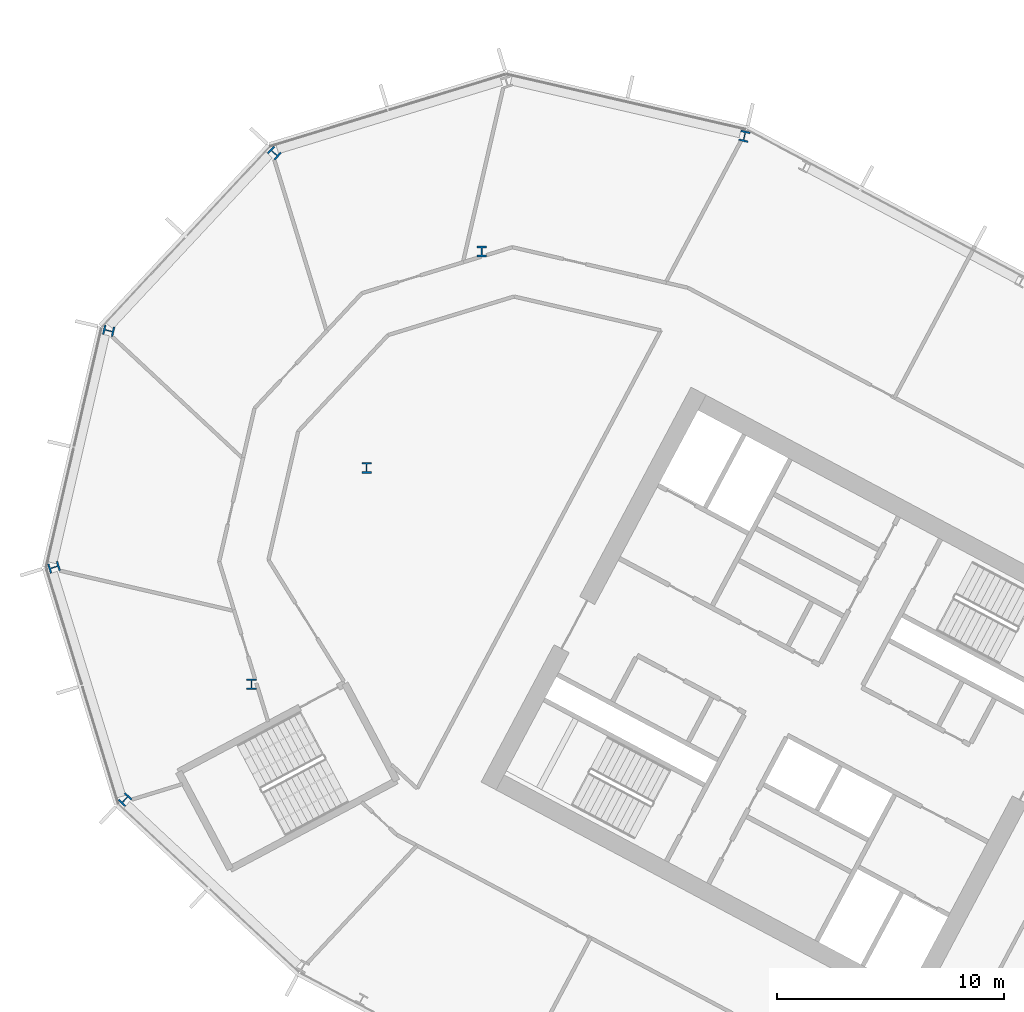
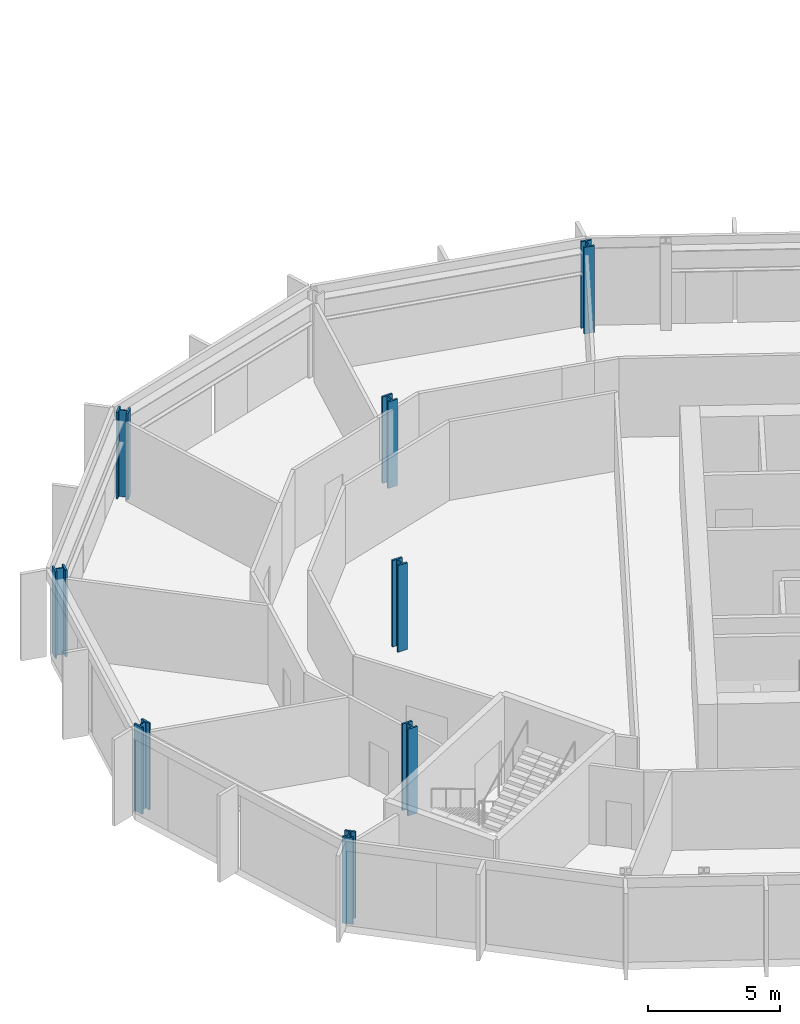
# One storey, part 3 of 28: 8 columns.
"""IFC4 building model written with IfcOpenShell, lengths in metres."""

from ifc_helpers import new_model, si_unit, direction, frame, origin, origin_2d, place, context, subcontext, project, spatial, i_section, extrude, material, material_profile, profile_set, type_object, element, save


model = new_model("IFC4")

# Units and contexts
model_context = context("Model", 3, precision=1e-05, world=origin(), true_north=direction((0.0, 1.0)))
body_context = subcontext(model_context, "Body", "Model", "MODEL_VIEW")
ifc_project = project(units=[si_unit("LENGTHUNIT", "METRE"), si_unit("AREAUNIT", "SQUARE_METRE"), si_unit("VOLUMEUNIT", "CUBIC_METRE"), si_unit("PLANEANGLEUNIT", "RADIAN"), si_unit("MASSUNIT", "GRAM", prefix="KILO")], contexts=[model_context])

# Site, building, storey
site_placement = place(None, origin())
site = spatial("IfcSite", under=ifc_project, at=site_placement, CompositionType="ELEMENT")
building_placement = place(site_placement, origin())
building = spatial("IfcBuilding", under=site, at=building_placement, Name="Cormorant Relay Tower", CompositionType="ELEMENT")
storey_placement = place(building_placement, frame((0.0, 0.0, 122.199951171875)))
storey = spatial("IfcBuildingStorey", under=building, at=storey_placement, Name="L24", CompositionType="ELEMENT", Elevation=122.199951171875)

# Columns
ifc_material = material(Name="Steel ASTM A992 (Fy 345 MPa)", Category="steel")
ifc_material_profile = material_profile(ifc_material, i_section(OverallWidth=0.42431640625, OverallDepth=0.47509765625, WebThickness=0.0478515625, FlangeThickness=0.0771484375, FilletRadius=0.014892578125, at=origin_2d()), Name="W360x634")
ifc_profile_set = profile_set([ifc_material_profile], Name="Steel ASTM A992 (Fy 345 MPa)")
column_type = type_object("IfcColumnType", Name="Column W360x634", PredefinedType="COLUMN", material=ifc_profile_set)
for number, where, z_axis, x_axis, name in (
    (1, (-57.261962890625, 10.173095703125, 0.0), (0.0, 0.0, 1.0), (0.731353701619, -0.681998360062, 0.0), "Column L24-022"),
    (2, (-51.68994140625, 15.251953125, 0.0), (0.0, 0.0, 1.0), (1.0, 0.0, 0.0), "Column L24-028"),
    (3, (-60.389892578125, 20.405029296875, 0.0), (0.0, 0.0, 1.0), (0.292371704723, -0.956304755963, 0.0), "Column L24-030"),
    (4, (-46.6201171875, 24.7880859375, 0.0), (0.0, 0.0, 1.0), (1.0, 0.0, 0.0), "Column L24-033"),
    (5, (-57.98291015625, 30.830078125, 0.0), (0.0, 0.0, 1.0), (-0.224951054344, -0.974370064785, 0.0), "Column L24-037"),
    (6, (-41.549072265625, 34.323974609375, 0.0), (0.0, 0.0, 1.0), (1.0, 0.0, 0.0), "Column L24-041"),
    (7, (-50.68603515625, 38.655029296875, 0.0), (0.0, 0.0, 1.0), (-0.681998360062, -0.731353701619, 0.0), "Column L24-045"),
    (8, (-29.97509765625, 39.39599609375, 0.0), (0.0, 0.0, 1.0), (-0.974370064785, 0.224951054344, 0.0), "Column L24-046"),
):
    element("IfcColumn", number, at=place(storey_placement, frame(where, z_axis=z_axis, x_axis=x_axis)), inside=storey, type_object=column_type, Name=name, PredefinedType="COLUMN", context=body_context, shape_type="SweptSolid", body=[
        extrude(i_section(OverallWidth=0.42431640625, OverallDepth=0.47509765625, WebThickness=0.0478515625, FlangeThickness=0.0771484375, FilletRadius=0.014892578125, at=origin_2d()), origin(), (0.0, 0.0, 1.0), 4.0),
    ])

save(model, "model.ifc")
